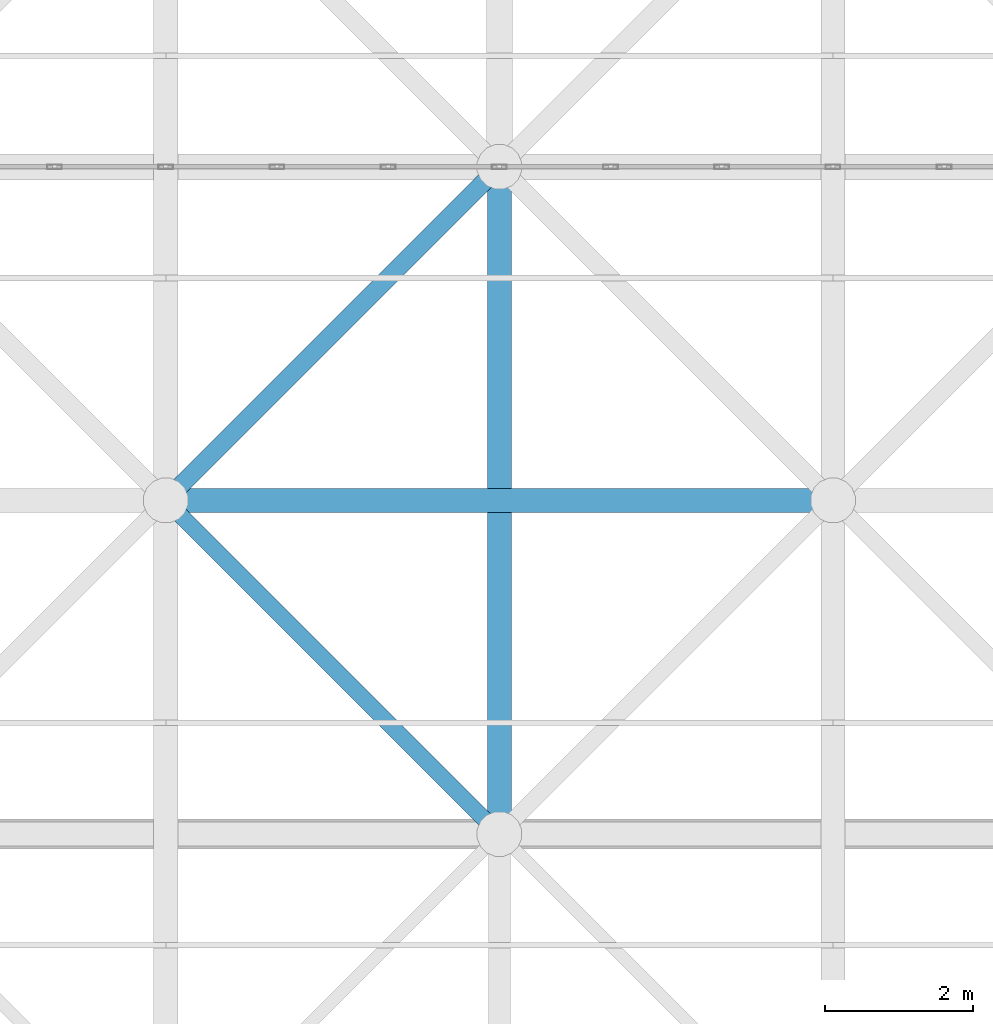
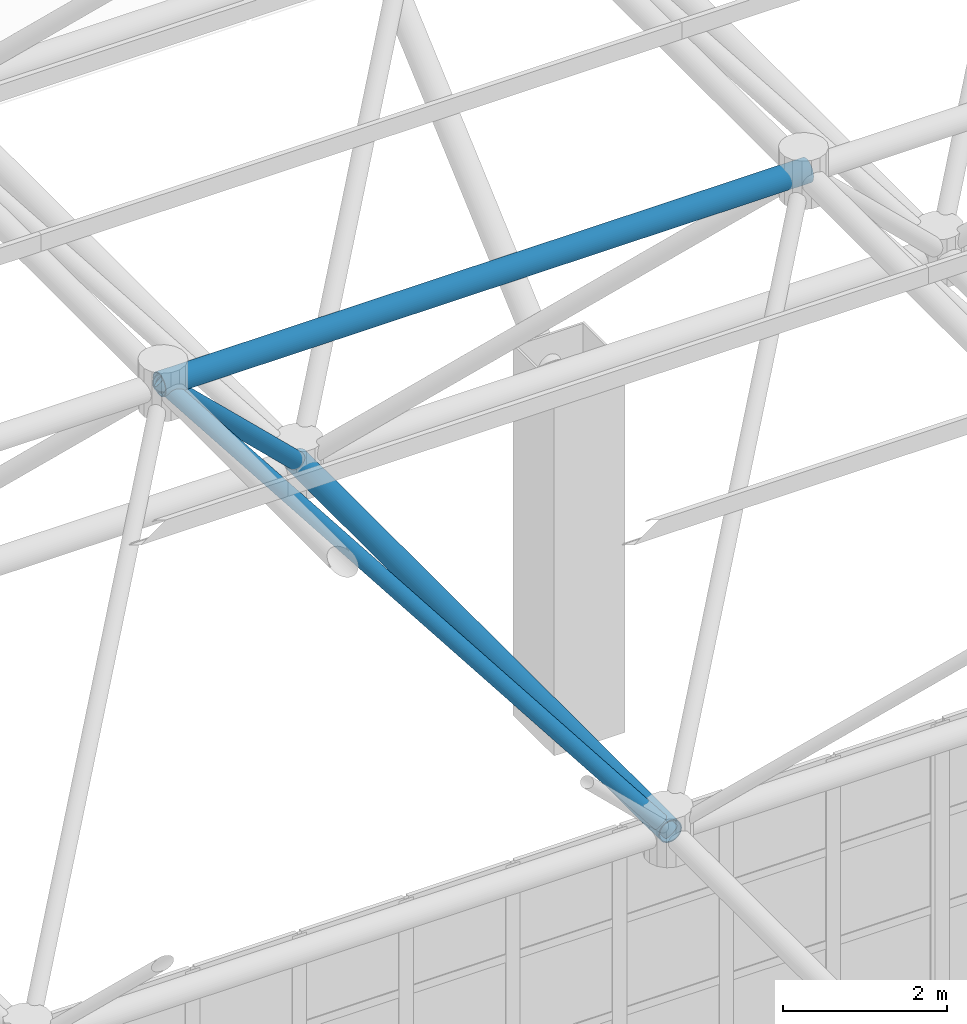
# One storey, part 167 of 437: 4 members.
"""IFC4 building model written with IfcOpenShell, lengths in metres."""

from ifc_helpers import new_model, si_unit, direction, frame, origin, origin_2d, place, context, subcontext, project, spatial, hollow_circle, extrude, material, material_profile, profile_set, type_object, element, save


model = new_model("IFC4")

# Units and contexts
model_context = context("Model", 3, precision=1e-05, world=origin(), true_north=direction((0.0, 1.0)))
body_context = subcontext(model_context, "Body", "Model", "MODEL_VIEW")
ifc_project = project(units=[si_unit("LENGTHUNIT", "METRE"), si_unit("AREAUNIT", "SQUARE_METRE"), si_unit("VOLUMEUNIT", "CUBIC_METRE"), si_unit("PLANEANGLEUNIT", "RADIAN"), si_unit("MASSUNIT", "GRAM", prefix="KILO")], contexts=[model_context])

# Site, building, storey
site_placement = place(None, origin())
site = spatial("IfcSite", under=ifc_project, at=site_placement, CompositionType="ELEMENT")
building_placement = place(site_placement, origin())
building = spatial("IfcBuilding", under=site, at=building_placement, Name="Opaline Strait Convention Centre", CompositionType="ELEMENT")
storey_placement = place(building_placement, frame((0.0, 0.0, 11.5)))
storey = spatial("IfcBuildingStorey", under=building, at=storey_placement, Name="L02", CompositionType="ELEMENT", Elevation=11.5)

# Members
ifc_material = material(Name="Steel Q355B", Category="steel")
ifc_material_profile_1 = material_profile(ifc_material, hollow_circle(Radius=0.16259765625, WallThickness=0.013916015625, at=origin_2d()), Name="CHS 325x14")
ifc_profile_set_1 = profile_set([ifc_material_profile_1], Name="Steel Q355B")
member_type_1 = type_object("IfcMemberType", Name="Space frame bottom chord CHS 325x14", PredefinedType="CHORD", material=ifc_profile_set_1)
member_1_placement = place(storey_placement, frame((180.0, 134.949951171875, 12.5), z_axis=(0.0, 1.0, 0.0), x_axis=(-1.0, 0.0, 0.0)))
element("IfcMember", 1, at=member_1_placement, inside=storey, type_object=member_type_1, Name="EXB-RF-BY-10-10", PredefinedType="CHORD", context=body_context, shape_type="SweptSolid", body=[
    extrude(hollow_circle(Radius=0.16259765625, WallThickness=0.013916015625, at=origin_2d()), origin(), (0.0, 0.0, 1.0), 9.10009765625),
])
ifc_material_profile_2 = material_profile(ifc_material, hollow_circle(Radius=0.16259765625, WallThickness=0.013916015625, at=origin_2d()), Name="CHS 325x14")
ifc_profile_set_2 = profile_set([ifc_material_profile_2], Name="Steel Q355B")
member_type_2 = type_object("IfcMemberType", Name="Space frame top chord CHS 325x14", PredefinedType="CHORD", material=ifc_profile_set_2)
member_2_placement = place(storey_placement, frame((175.449951171875, 139.5, 17.971435546875), z_axis=(1.0, 0.0, 0.0), x_axis=(0.0, 1.0, 0.0)))
element("IfcMember", 2, at=member_2_placement, inside=storey, type_object=member_type_2, Name="EXB-RF-TX-10-11", PredefinedType="CHORD", context=body_context, shape_type="SweptSolid", body=[
    extrude(hollow_circle(Radius=0.16259765625, WallThickness=0.013916015625, at=origin_2d()), origin(), (0.0, 0.0, 1.0), 9.10009765625),
])
ifc_material_profile_3 = material_profile(ifc_material, hollow_circle(Radius=0.109619140625, WallThickness=0.010009765625, at=origin_2d()), Name="CHS 219x10")
ifc_profile_set_3 = profile_set([ifc_material_profile_3], Name="Steel Q355B")
member_type_3 = type_object("IfcMemberType", Name="Space frame web CHS 219x10", PredefinedType="BRACE", material=ifc_profile_set_3)
member_3_placement = place(storey_placement, frame((175.47314453125, 139.52685546875, 18.004150390625), z_axis=(0.536178220346, -0.536178220346, -0.6519400525), x_axis=(0.707106781187, 0.707106781187, 0.0)))
element("IfcMember", 3, at=member_3_placement, inside=storey, type_object=member_type_3, Name="EXB-RF-W-10-10-01", PredefinedType="BRACE", context=body_context, shape_type="SweptSolid", body=[
    extrude(hollow_circle(Radius=0.109619140625, WallThickness=0.010009765625, at=origin_2d()), origin(), (0.0, 0.0, 1.0), 8.492919921875),
])
ifc_material_profile_4 = material_profile(ifc_material, hollow_circle(Radius=0.12255859375, WallThickness=0.011962890625, at=origin_2d()), Name="CHS 245x12")
ifc_profile_set_4 = profile_set([ifc_material_profile_4], Name="Steel Q355B")
member_type_4 = type_object("IfcMemberType", Name="Space frame web CHS 245x12", PredefinedType="BRACE", material=ifc_profile_set_4)
member_4_placement = place(storey_placement, frame((175.47314453125, 139.47314453125, 18.004150390625), z_axis=(0.536178220346, 0.536178220346, -0.6519400525), x_axis=(-0.707106781187, 0.707106781187, 0.0)))
element("IfcMember", 4, at=member_4_placement, inside=storey, type_object=member_type_4, Name="EXB-RF-W-10-11-00", PredefinedType="BRACE", context=body_context, shape_type="SweptSolid", body=[
    extrude(hollow_circle(Radius=0.12255859375, WallThickness=0.011962890625, at=origin_2d()), origin(), (0.0, 0.0, 1.0), 8.492919921875),
])

save(model, "model.ifc")
